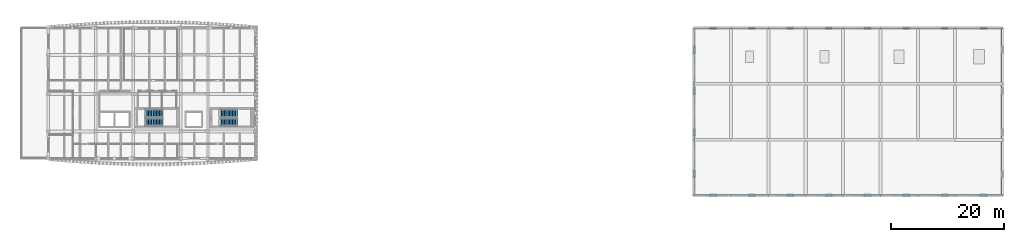
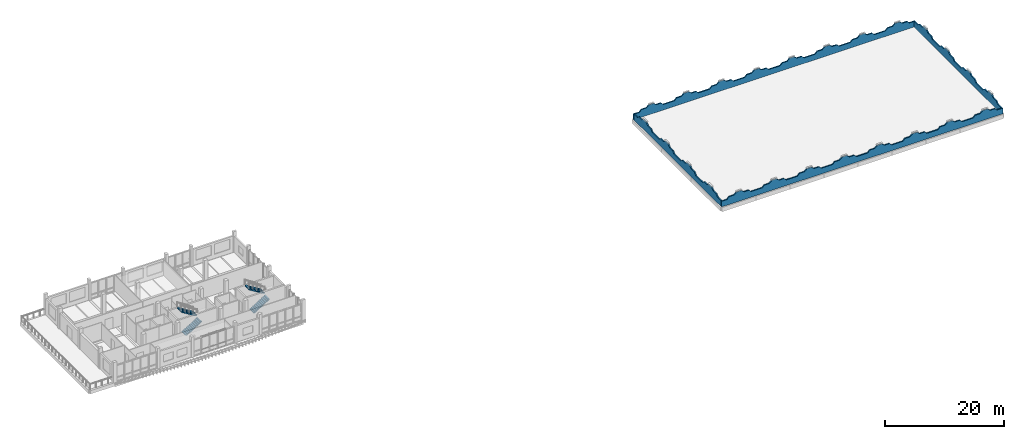
# One storey, part 12 of 20: 4 stair flights, 4 walls, 2 elements without a shape of their own.
"""IFC4 building model written with IfcOpenShell, lengths in metres."""

from ifc_helpers import new_model, si_unit, direction, frame, origin, place, context, subcontext, project, spatial, polyline, outline, extrude, material, layer, layer_set, type_object, element, aggregate, save


model = new_model("IFC4")

# Units and contexts
model_context = context("Model", 3, precision=1e-05, world=origin(), true_north=direction((0.0, 1.0)))
body_context = subcontext(model_context, "Body", "Model", "MODEL_VIEW")
ifc_project = project(units=[si_unit("LENGTHUNIT", "METRE"), si_unit("AREAUNIT", "SQUARE_METRE"), si_unit("VOLUMEUNIT", "CUBIC_METRE"), si_unit("PLANEANGLEUNIT", "RADIAN"), si_unit("MASSUNIT", "GRAM", prefix="KILO")], contexts=[model_context])

# Site, building, storey
site_placement = place(None, origin())
site = spatial("IfcSite", under=ifc_project, at=site_placement, CompositionType="ELEMENT")
building_placement = place(site_placement, origin())
building = spatial("IfcBuilding", under=site, at=building_placement, Name="Dornvale Research Institute", CompositionType="ELEMENT")
storey_placement = place(building_placement, frame((0.0, 0.0, 34.199951171875)))
storey = spatial("IfcBuildingStorey", under=building, at=storey_placement, Name="L07", CompositionType="ELEMENT", Elevation=34.199951171875)

# Walls
ifc_material_1 = material(Name="Concrete f'c 40 MPa (C32/40)", Category="concrete")
ifc_layer = layer(ifc_material_1, 0.219970703125)
ifc_layer_set = layer_set([ifc_layer], Name="Concrete f'c 40 MPa (C32/40)")
wall_type = type_object("IfcWallType", Name="Parapet_Roof_220", PredefinedType="PARAPET", material=ifc_layer_set)
wall_1_placement = place(storey_placement, frame((118.800048828125, 92.510009765625, 0.0), z_axis=(0.0, 0.0, 1.0), x_axis=(1.0, 0.0, 0.0)))
element("IfcWall", 1, at=wall_1_placement, inside=storey, type_object=wall_type, Name="L07 V4-L07 parapet S", PredefinedType="PARAPET", context=body_context, shape_type="SweptSolid", body=[
    extrude(outline(polyline([(0.0, 0.0), (54.599853515625, 0.0), (54.60009765625, 1.150146484375), (53.508056640625, 1.150146484375), (53.098388671875, 1.580078125), (52.14306640625, 1.580078125), (51.596923828125, 2.050048828125), (50.778076171875, 2.050048828125), (50.23193359375, 1.580078125), (49.276611328125, 1.580078125), (48.866943359375, 1.150146484375), (47.77490234375, 1.150146484375), (46.68310546875, 1.150146484375), (46.2734375, 1.580078125), (45.318115234375, 1.580078125), (44.77197265625, 2.050048828125), (43.952880859375, 2.050048828125), (43.406982421875, 1.580078125), (42.451416015625, 1.580078125), (42.0419921875, 1.150146484375), (40.949951171875, 1.150146484375), (39.85791015625, 1.150146484375), (39.448486328125, 1.580078125), (38.492919921875, 1.580078125), (37.947021484375, 2.050048828125), (37.1279296875, 2.050048828125), (36.58203125, 1.580078125), (35.62646484375, 1.580078125), (35.217041015625, 1.150146484375), (34.125, 1.150146484375), (33.032958984375, 1.150146484375), (32.62353515625, 1.580078125), (31.66796875, 1.580078125), (31.1220703125, 2.050048828125), (30.302978515625, 2.050048828125), (29.757080078125, 1.580078125), (28.801513671875, 1.580078125), (28.39208984375, 1.150146484375), (27.300048828125, 1.150146484375), (26.2080078125, 1.150146484375), (25.798583984375, 1.580078125), (24.843017578125, 1.580078125), (24.297119140625, 2.050048828125), (23.47802734375, 2.050048828125), (22.931884765625, 1.580078125), (21.9765625, 1.580078125), (21.56689453125, 1.150146484375), (20.47509765625, 1.150146484375), (19.383056640625, 1.150146484375), (18.973388671875, 1.580078125), (18.01806640625, 1.580078125), (17.471923828125, 2.050048828125), (16.653076171875, 2.050048828125), (16.10693359375, 1.580078125), (15.151611328125, 1.580078125), (14.741943359375, 1.150146484375), (13.64990234375, 1.150146484375), (12.55810546875, 1.150146484375), (12.1484375, 1.580078125), (11.193115234375, 1.580078125), (10.64697265625, 2.050048828125), (9.827880859375, 2.050048828125), (9.281982421875, 1.580078125), (8.326416015625, 1.580078125), (7.9169921875, 1.150146484375), (6.824951171875, 1.150146484375), (5.73291015625, 1.150146484375), (5.323486328125, 1.580078125), (4.367919921875, 1.580078125), (3.822021484375, 2.050048828125), (3.0029296875, 2.050048828125), (2.45703125, 1.580078125), (1.50146484375, 1.580078125), (1.092041015625, 1.150146484375), (0.0, 1.150146484375), (0.0, 0.0)])), frame((0.0, 0.10986328125, 0.0), z_axis=(0.0, -1.0, 0.0), x_axis=(1.0, 0.0, 0.0)), (0.0, 0.0, 1.0), 0.219970703125),
])
wall_2_placement = place(storey_placement, frame((118.800048828125, 121.989990234375, 0.0), z_axis=(0.0, 0.0, 1.0), x_axis=(1.0, 0.0, 0.0)))
element("IfcWall", 2, at=wall_2_placement, inside=storey, type_object=wall_type, Name="L07 V4-L07 parapet N", PredefinedType="PARAPET", context=body_context, shape_type="SweptSolid", body=[
    extrude(outline(polyline([(0.0, 0.0), (54.599853515625, 0.0), (54.60009765625, 1.150146484375), (53.508056640625, 1.150146484375), (53.098388671875, 1.580078125), (52.14306640625, 1.580078125), (51.596923828125, 2.050048828125), (50.778076171875, 2.050048828125), (50.23193359375, 1.580078125), (49.276611328125, 1.580078125), (48.866943359375, 1.150146484375), (47.77490234375, 1.150146484375), (46.68310546875, 1.150146484375), (46.2734375, 1.580078125), (45.318115234375, 1.580078125), (44.77197265625, 2.050048828125), (43.952880859375, 2.050048828125), (43.406982421875, 1.580078125), (42.451416015625, 1.580078125), (42.0419921875, 1.150146484375), (40.949951171875, 1.150146484375), (39.85791015625, 1.150146484375), (39.448486328125, 1.580078125), (38.492919921875, 1.580078125), (37.947021484375, 2.050048828125), (37.1279296875, 2.050048828125), (36.58203125, 1.580078125), (35.62646484375, 1.580078125), (35.217041015625, 1.150146484375), (34.125, 1.150146484375), (33.032958984375, 1.150146484375), (32.62353515625, 1.580078125), (31.66796875, 1.580078125), (31.1220703125, 2.050048828125), (30.302978515625, 2.050048828125), (29.757080078125, 1.580078125), (28.801513671875, 1.580078125), (28.39208984375, 1.150146484375), (27.300048828125, 1.150146484375), (26.2080078125, 1.150146484375), (25.798583984375, 1.580078125), (24.843017578125, 1.580078125), (24.297119140625, 2.050048828125), (23.47802734375, 2.050048828125), (22.931884765625, 1.580078125), (21.9765625, 1.580078125), (21.56689453125, 1.150146484375), (20.47509765625, 1.150146484375), (19.383056640625, 1.150146484375), (18.973388671875, 1.580078125), (18.01806640625, 1.580078125), (17.471923828125, 2.050048828125), (16.653076171875, 2.050048828125), (16.10693359375, 1.580078125), (15.151611328125, 1.580078125), (14.741943359375, 1.150146484375), (13.64990234375, 1.150146484375), (12.55810546875, 1.150146484375), (12.1484375, 1.580078125), (11.193115234375, 1.580078125), (10.64697265625, 2.050048828125), (9.827880859375, 2.050048828125), (9.281982421875, 1.580078125), (8.326416015625, 1.580078125), (7.9169921875, 1.150146484375), (6.824951171875, 1.150146484375), (5.73291015625, 1.150146484375), (5.323486328125, 1.580078125), (4.367919921875, 1.580078125), (3.822021484375, 2.050048828125), (3.0029296875, 2.050048828125), (2.45703125, 1.580078125), (1.50146484375, 1.580078125), (1.092041015625, 1.150146484375), (0.0, 1.150146484375), (0.0, 0.0)])), frame((0.0, 0.10986328125, 0.0), z_axis=(0.0, -1.0, 0.0), x_axis=(1.0, 0.0, 0.0)), (0.0, 0.0, 1.0), 0.219970703125),
])
for number, where, z_axis, x_axis, name in (
    (3, (118.909912109375, 92.6201171875, 0.0), (0.0, 0.0, 1.0), (0.0, 1.0, 0.0), "L07 V4-L07 parapet W"),
    (4, (173.2900390625, 92.6201171875, 0.0), (0.0, 0.0, 1.0), (0.0, 1.0, 0.0), "L07 V4-L07 parapet E"),
):
    element("IfcWall", number, at=place(storey_placement, frame(where, z_axis=z_axis, x_axis=x_axis)), inside=storey, type_object=wall_type, Name=name, PredefinedType="PARAPET", context=body_context, shape_type="SweptSolid", body=[
        extrude(outline(polyline([(0.0, 0.0), (29.259765625, 0.0), (29.260009765625, 1.150146484375), (28.089599609375, 1.150146484375), (27.650634765625, 1.580078125), (26.626708984375, 1.580078125), (26.04150390625, 2.050048828125), (25.16357421875, 2.050048828125), (24.578369140625, 1.580078125), (23.55419921875, 1.580078125), (23.115478515625, 1.150146484375), (21.945068359375, 1.150146484375), (20.774658203125, 1.150146484375), (20.335693359375, 1.580078125), (19.3115234375, 1.580078125), (18.726318359375, 2.050048828125), (17.8486328125, 2.050048828125), (17.263427734375, 1.580078125), (16.2392578125, 1.580078125), (15.80029296875, 1.150146484375), (14.6298828125, 1.150146484375), (13.459716796875, 1.150146484375), (13.020751953125, 1.580078125), (11.99658203125, 1.580078125), (11.411376953125, 2.050048828125), (10.53369140625, 2.050048828125), (9.948486328125, 1.580078125), (8.92431640625, 1.580078125), (8.4853515625, 1.150146484375), (7.31494140625, 1.150146484375), (6.14453125, 1.150146484375), (5.705810546875, 1.580078125), (4.681640625, 1.580078125), (4.096435546875, 2.050048828125), (3.218505859375, 2.050048828125), (2.63330078125, 1.580078125), (1.609375, 1.580078125), (1.17041015625, 1.150146484375), (0.0, 1.150146484375), (0.0, 0.0)])), frame((0.0, 0.10986328125, 0.0), z_axis=(0.0, -1.0, 0.0), x_axis=(1.0, 0.0, 0.0)), (0.0, 0.0, 1.0), 0.219970703125),
    ])

# Stair, stair flights
ifc_material_2 = material(Name="Concrete f'c 45 MPa (C35/45)", Category="concrete")
stair_type = type_object("IfcStairType", Name="HalfTurnStair_RC", PredefinedType="HALF_TURN_STAIR", material=ifc_material_2)
stair_1_placement = place(storey_placement, origin())
stair_1 = element("IfcStair", 5, at=stair_1_placement, inside=storey, type_object=stair_type, Name="L07 Exit stair ST-1", PredefinedType="HALF_TURN_STAIR")
ifc_material_3 = material(Name="Concrete f'c 45 MPa (C35/45)", Category="concrete")
stair_flight_type = type_object("IfcStairFlightType", Name="StraightFlight_RC150", PredefinedType="STRAIGHT", material=ifc_material_3)
stair_flight_1_placement = place(storey_placement, frame((21.949951171875, 105.39990234375, 0.0), z_axis=(0.0, 0.0, 1.0), x_axis=(1.0, 0.0, 0.0)))
stair_flight_1 = element("IfcStairFlight", 6, at=stair_flight_1_placement, type_object=stair_flight_type, Name="ST-1 flight 1", NumberOfRisers=12, NumberOfTreads=11, PredefinedType="STRAIGHT", RiserHeight=0.175, TreadLength=0.28, context=body_context, shape_type="SweptSolid", body=[
    extrude(outline(polyline([(0.0, 0.0), (0.0, 0.175048828125), (0.280029296875, 0.175048828125), (0.280029296875, 0.35009765625), (0.56005859375, 0.35009765625), (0.56005859375, 0.52490234375), (0.840087890625, 0.52490234375), (0.840087890625, 0.699951171875), (1.1201171875, 0.699951171875), (1.1201171875, 0.875), (1.39990234375, 0.875), (1.39990234375, 1.050048828125), (1.679931640625, 1.050048828125), (1.679931640625, 1.22509765625), (1.9599609375, 1.22509765625), (1.9599609375, 1.39990234375), (2.239990234375, 1.39990234375), (2.239990234375, 1.574951171875), (2.52001953125, 1.574951171875), (2.52001953125, 1.75), (2.800048828125, 1.75), (2.800048828125, 1.925048828125), (3.080078125, 1.925048828125), (3.080078125, 2.10009765625), (3.080078125, 1.748291015625), (0.28271484375, 0.0), (0.0, 0.0)])), frame((0.0, 0.699951171875, 0.0), z_axis=(0.0, -1.0, 0.0), x_axis=(1.0, 0.0, 0.0)), (0.0, 0.0, 1.0), 1.39990234375),
])
stair_flight_2_placement = place(storey_placement, frame((25.030029296875, 106.9599609375, 2.10009765625), z_axis=(0.0, 0.0, 1.0), x_axis=(-1.0, 0.0, 0.0)))
stair_flight_2 = element("IfcStairFlight", 7, at=stair_flight_2_placement, type_object=stair_flight_type, Name="ST-1 flight 2", NumberOfRisers=12, NumberOfTreads=11, PredefinedType="STRAIGHT", RiserHeight=0.175, TreadLength=0.28, context=body_context, shape_type="SweptSolid", body=[
    extrude(outline(polyline([(0.0, 0.0), (0.0, 0.175048828125), (0.280029296875, 0.175048828125), (0.280029296875, 0.35009765625), (0.56005859375, 0.35009765625), (0.56005859375, 0.52490234375), (0.840087890625, 0.52490234375), (0.840087890625, 0.699951171875), (1.1201171875, 0.699951171875), (1.1201171875, 0.875), (1.39990234375, 0.875), (1.39990234375, 1.050048828125), (1.679931640625, 1.050048828125), (1.679931640625, 1.22509765625), (1.9599609375, 1.22509765625), (1.9599609375, 1.39990234375), (2.239990234375, 1.39990234375), (2.239990234375, 1.574951171875), (2.52001953125, 1.574951171875), (2.52001953125, 1.75), (2.800048828125, 1.75), (2.800048828125, 1.925048828125), (3.080078125, 1.925048828125), (3.080078125, 2.10009765625), (3.080078125, 1.748291015625), (0.28271484375, 0.0), (0.0, 0.0)])), frame((0.0, 0.699951171875, 0.0), z_axis=(0.0, -1.0, 0.0), x_axis=(1.0, 0.0, 0.0)), (0.0, 0.0, 1.0), 1.39990234375),
])
aggregate(stair_1, [stair_flight_1, stair_flight_2])

stair_2_placement = place(storey_placement, origin())
stair_2 = element("IfcStair", 8, at=stair_2_placement, inside=storey, type_object=stair_type, Name="L07 Exit stair ST-2", PredefinedType="HALF_TURN_STAIR")
stair_flight_3_placement = place(storey_placement, frame((35.10009765625, 105.39990234375, 0.0), z_axis=(0.0, 0.0, 1.0), x_axis=(1.0, 0.0, 0.0)))
stair_flight_3 = element("IfcStairFlight", 9, at=stair_flight_3_placement, type_object=stair_flight_type, Name="ST-2 flight 1", NumberOfRisers=12, NumberOfTreads=11, PredefinedType="STRAIGHT", RiserHeight=0.175, TreadLength=0.28, context=body_context, shape_type="SweptSolid", body=[
    extrude(outline(polyline([(0.0, 0.0), (0.0, 0.175048828125), (0.280029296875, 0.175048828125), (0.280029296875, 0.35009765625), (0.56005859375, 0.35009765625), (0.56005859375, 0.52490234375), (0.840087890625, 0.52490234375), (0.840087890625, 0.699951171875), (1.1201171875, 0.699951171875), (1.1201171875, 0.875), (1.39990234375, 0.875), (1.39990234375, 1.050048828125), (1.679931640625, 1.050048828125), (1.679931640625, 1.22509765625), (1.9599609375, 1.22509765625), (1.9599609375, 1.39990234375), (2.239990234375, 1.39990234375), (2.239990234375, 1.574951171875), (2.52001953125, 1.574951171875), (2.52001953125, 1.75), (2.800048828125, 1.75), (2.800048828125, 1.925048828125), (3.080078125, 1.925048828125), (3.080078125, 2.10009765625), (3.080078125, 1.748291015625), (0.28271484375, 0.0), (0.0, 0.0)])), frame((0.0, 0.699951171875, 0.0), z_axis=(0.0, -1.0, 0.0), x_axis=(1.0, 0.0, 0.0)), (0.0, 0.0, 1.0), 1.39990234375),
])
stair_flight_4_placement = place(storey_placement, frame((38.179931640625, 106.9599609375, 2.10009765625), z_axis=(0.0, 0.0, 1.0), x_axis=(-1.0, 0.0, 0.0)))
stair_flight_4 = element("IfcStairFlight", 10, at=stair_flight_4_placement, type_object=stair_flight_type, Name="ST-2 flight 2", NumberOfRisers=12, NumberOfTreads=11, PredefinedType="STRAIGHT", RiserHeight=0.175, TreadLength=0.28, context=body_context, shape_type="SweptSolid", body=[
    extrude(outline(polyline([(0.0, 0.0), (0.0, 0.175048828125), (0.280029296875, 0.175048828125), (0.280029296875, 0.35009765625), (0.56005859375, 0.35009765625), (0.56005859375, 0.52490234375), (0.840087890625, 0.52490234375), (0.840087890625, 0.699951171875), (1.1201171875, 0.699951171875), (1.1201171875, 0.875), (1.39990234375, 0.875), (1.39990234375, 1.050048828125), (1.679931640625, 1.050048828125), (1.679931640625, 1.22509765625), (1.9599609375, 1.22509765625), (1.9599609375, 1.39990234375), (2.239990234375, 1.39990234375), (2.239990234375, 1.574951171875), (2.52001953125, 1.574951171875), (2.52001953125, 1.75), (2.800048828125, 1.75), (2.800048828125, 1.925048828125), (3.080078125, 1.925048828125), (3.080078125, 2.10009765625), (3.080078125, 1.748291015625), (0.28271484375, 0.0), (0.0, 0.0)])), frame((0.0, 0.699951171875, 0.0), z_axis=(0.0, -1.0, 0.0), x_axis=(1.0, 0.0, 0.0)), (0.0, 0.0, 1.0), 1.39990234375),
])
aggregate(stair_2, [stair_flight_3, stair_flight_4])

save(model, "model.ifc")
